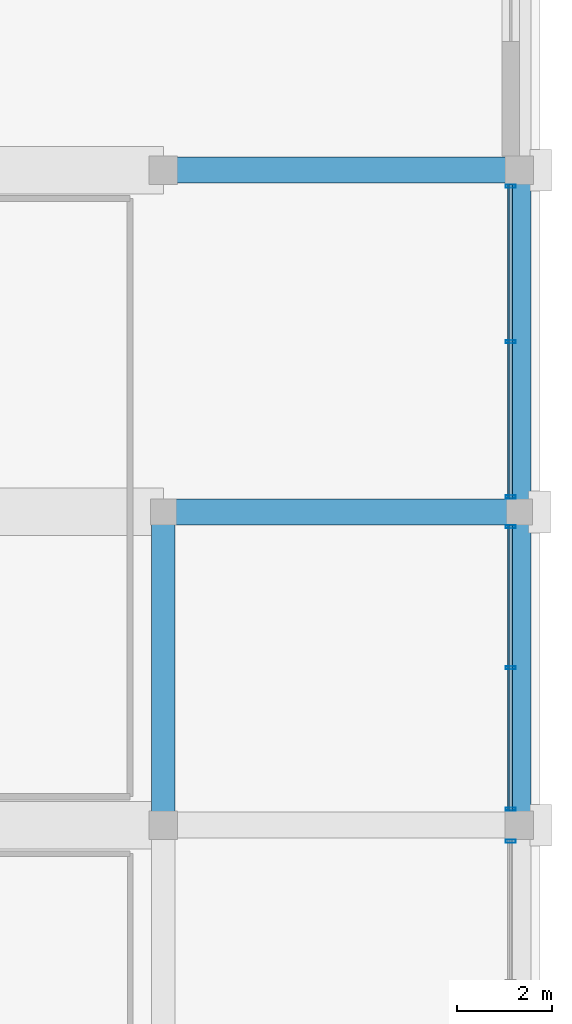
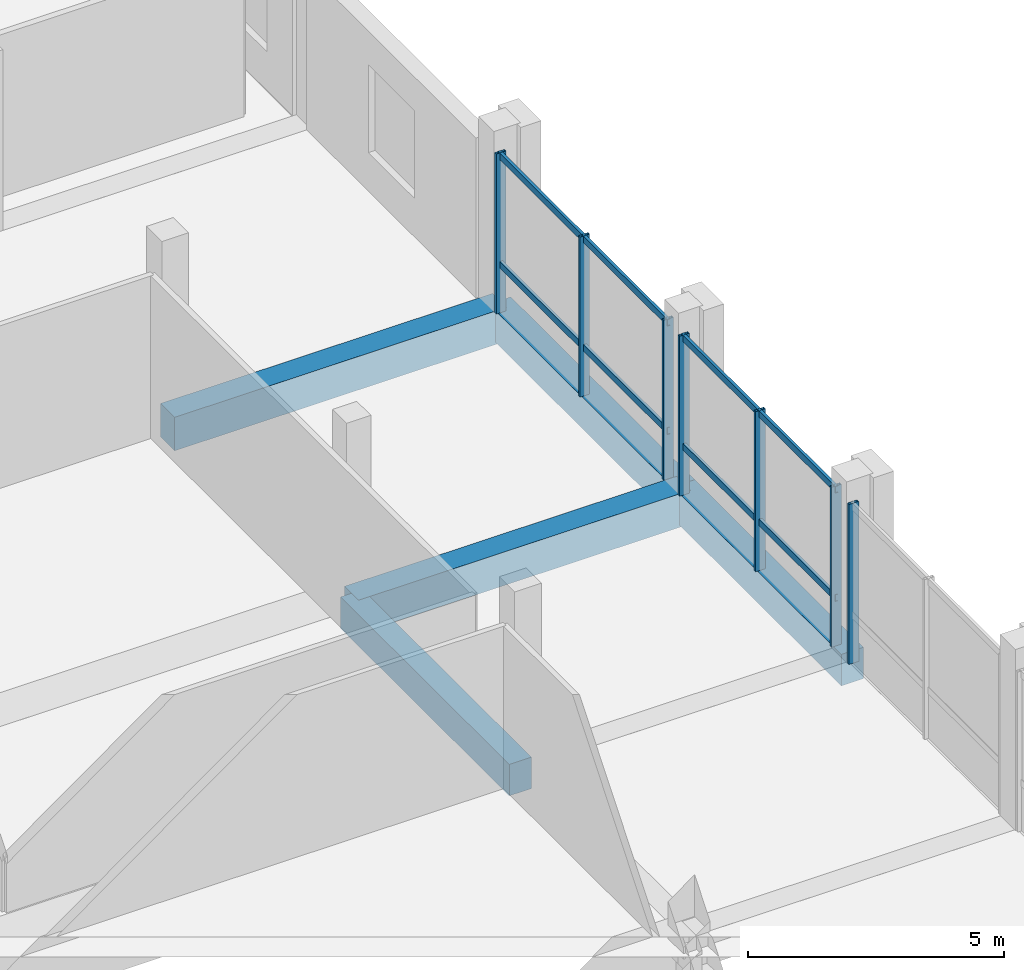
# One storey, part 37 of 68: 11 members, 5 beams, 3 elements without a shape of their own.
"""IFC4 building model written with IfcOpenShell, lengths in metres."""

from ifc_helpers import new_model, si_unit, direction, frame, origin, origin_2d, place, context, subcontext, project, spatial, rectangle, hollow_rectangle, extrude, material, material_profile, profile_set, type_object, element, aggregate, save


model = new_model("IFC4")

# Units and contexts
model_context = context("Model", 3, precision=1e-05, world=origin(), true_north=direction((0.0, 1.0)))
body_context = subcontext(model_context, "Body", "Model", "MODEL_VIEW")
ifc_project = project(units=[si_unit("LENGTHUNIT", "METRE"), si_unit("AREAUNIT", "SQUARE_METRE"), si_unit("VOLUMEUNIT", "CUBIC_METRE"), si_unit("PLANEANGLEUNIT", "RADIAN"), si_unit("MASSUNIT", "GRAM", prefix="KILO")], contexts=[model_context])

# Site, building, storey
site_placement = place(None, origin())
site = spatial("IfcSite", under=ifc_project, at=site_placement, CompositionType="ELEMENT")
building_placement = place(site_placement, origin())
building = spatial("IfcBuilding", under=site, at=building_placement, Name="Akrevak Sports Hall", CompositionType="ELEMENT")
storey_placement = place(building_placement, frame((0.0, 0.0, 9.39990234375)))
storey = spatial("IfcBuildingStorey", under=building, at=storey_placement, Name="L02", CompositionType="ELEMENT", Elevation=9.39990234375)

# Curtain wall, member
ifc_material_1 = material(Name="Anodized Bronze Aluminium & Low-E Glass", Category="aluminium")
curtain_wall_type = type_object("IfcCurtainWallType", Name="ARC-CW-POD-64x42", PredefinedType="NOTDEFINED", material=ifc_material_1)
curtain_wall_1_placement = place(storey_placement, origin())
curtain_wall_1 = element("IfcCurtainWall", 1, at=curtain_wall_1_placement, inside=storey, type_object=curtain_wall_type, Name="Curtain Wall CW-L02-E07", PredefinedType="NOTDEFINED")
ifc_material_2 = material(Name="Anodized Bronze Aluminium", Category="aluminium")
ifc_material_profile_1 = material_profile(ifc_material_2, hollow_rectangle(XDim=0.06494140625, YDim=0.219970703125, WallThickness=0.00439453125, at=origin_2d()), Name="CWM 65x220", Category="aluminium")
ifc_profile_set_1 = profile_set([ifc_material_profile_1], Name="Anodized Bronze Aluminium")
member_type_1 = type_object("IfcMemberType", Name="ARC-CWM-70x160", PredefinedType="MULLION", material=ifc_profile_set_1)
member_1_placement = place(storey_placement, frame((167.820068359375, 48.260009765625, 0.0), z_axis=(0.0, 0.0, 1.0), x_axis=(0.0, 1.0, 0.0)))
member_1 = element("IfcMember", 2, at=member_1_placement, type_object=member_type_1, Name="Curtain Wall Mullion CW-L02-E07-M3", PredefinedType="MULLION", context=body_context, shape_type="SweptSolid", body=[
    extrude(hollow_rectangle(XDim=0.06494140625, YDim=0.219970703125, WallThickness=0.00439453125, at=origin_2d()), origin(), (0.0, 0.0, 1.0), 3.820068359375),
])
aggregate(curtain_wall_1, [member_1])

# Curtain wall, members
curtain_wall_2_placement = place(storey_placement, origin())
curtain_wall_2 = element("IfcCurtainWall", 3, at=curtain_wall_2_placement, inside=storey, type_object=curtain_wall_type, Name="Curtain Wall CW-L02-E08", PredefinedType="NOTDEFINED")
member_2_placement = place(storey_placement, frame((167.820068359375, 48.93994140625, 0.0), z_axis=(0.0, 0.0, 1.0), x_axis=(0.0, 1.0, 0.0)))
member_2 = element("IfcMember", 4, at=member_2_placement, type_object=member_type_1, Name="Curtain Wall Mullion CW-L02-E08-M1", PredefinedType="MULLION", context=body_context, shape_type="SweptSolid", body=[
    extrude(hollow_rectangle(XDim=0.06494140625, YDim=0.219970703125, WallThickness=0.00439453125, at=origin_2d()), origin(), (0.0, 0.0, 1.0), 3.820068359375),
])
member_3_placement = place(storey_placement, frame((167.820068359375, 51.91259765625, 0.0), z_axis=(0.0, 0.0, 1.0), x_axis=(0.0, 1.0, 0.0)))
member_3 = element("IfcMember", 5, at=member_3_placement, type_object=member_type_1, Name="Curtain Wall Mullion CW-L02-E08-M2", PredefinedType="MULLION", context=body_context, shape_type="SweptSolid", body=[
    extrude(hollow_rectangle(XDim=0.06494140625, YDim=0.219970703125, WallThickness=0.00439453125, at=origin_2d()), origin(), (0.0, 0.0, 1.0), 3.820068359375),
])
member_4_placement = place(storey_placement, frame((167.820068359375, 54.885009765625, 0.0), z_axis=(0.0, 0.0, 1.0), x_axis=(0.0, 1.0, 0.0)))
member_4 = element("IfcMember", 6, at=member_4_placement, type_object=member_type_1, Name="Curtain Wall Mullion CW-L02-E08-M3", PredefinedType="MULLION", context=body_context, shape_type="SweptSolid", body=[
    extrude(hollow_rectangle(XDim=0.06494140625, YDim=0.219970703125, WallThickness=0.00439453125, at=origin_2d()), origin(), (0.0, 0.0, 1.0), 3.820068359375),
])

curtain_wall_3_placement = place(storey_placement, origin())
curtain_wall_3 = element("IfcCurtainWall", 7, at=curtain_wall_3_placement, inside=storey, type_object=curtain_wall_type, Name="Curtain Wall CW-L02-E09", PredefinedType="NOTDEFINED")
member_5_placement = place(storey_placement, frame((167.820068359375, 55.514892578125, 0.0), z_axis=(0.0, 0.0, 1.0), x_axis=(0.0, 1.0, 0.0)))
member_5 = element("IfcMember", 8, at=member_5_placement, type_object=member_type_1, Name="Curtain Wall Mullion CW-L02-E09-M1", PredefinedType="MULLION", context=body_context, shape_type="SweptSolid", body=[
    extrude(hollow_rectangle(XDim=0.06494140625, YDim=0.219970703125, WallThickness=0.00439453125, at=origin_2d()), origin(), (0.0, 0.0, 1.0), 3.820068359375),
])
member_6_placement = place(storey_placement, frame((167.820068359375, 58.78759765625, 0.0), z_axis=(0.0, 0.0, 1.0), x_axis=(0.0, 1.0, 0.0)))
member_6 = element("IfcMember", 9, at=member_6_placement, type_object=member_type_1, Name="Curtain Wall Mullion CW-L02-E09-M2", PredefinedType="MULLION", context=body_context, shape_type="SweptSolid", body=[
    extrude(hollow_rectangle(XDim=0.06494140625, YDim=0.219970703125, WallThickness=0.00439453125, at=origin_2d()), origin(), (0.0, 0.0, 1.0), 3.820068359375),
])
member_7_placement = place(storey_placement, frame((167.820068359375, 62.06005859375, 0.0), z_axis=(0.0, 0.0, 1.0), x_axis=(0.0, 1.0, 0.0)))
member_7 = element("IfcMember", 10, at=member_7_placement, type_object=member_type_1, Name="Curtain Wall Mullion CW-L02-E09-M3", PredefinedType="MULLION", context=body_context, shape_type="SweptSolid", body=[
    extrude(hollow_rectangle(XDim=0.06494140625, YDim=0.219970703125, WallThickness=0.00439453125, at=origin_2d()), origin(), (0.0, 0.0, 1.0), 3.820068359375),
])

# Member
ifc_material_profile_2 = material_profile(ifc_material_2, hollow_rectangle(XDim=0.06494140625, YDim=0.159912109375, WallThickness=0.00390625, at=origin_2d()), Name="CWT 65x160", Category="aluminium")
ifc_profile_set_2 = profile_set([ifc_material_profile_2], Name="Anodized Bronze Aluminium")
member_type_2 = type_object("IfcMemberType", Name="ARC-CWT-70x130", PredefinedType="USERDEFINED", material=ifc_profile_set_2)
member_8_placement = place(storey_placement, frame((167.820068359375, 48.89990234375, 1.150146484375), z_axis=(0.0, 1.0, 0.0), x_axis=(-1.0, 0.0, 0.0)))
member_8 = element("IfcMember", 11, at=member_8_placement, type_object=member_type_2, Name="Curtain Wall Transom CW-L02-E08-T1", ObjectType="TRANSOM", PredefinedType="USERDEFINED", context=body_context, shape_type="SweptSolid", body=[
    extrude(hollow_rectangle(XDim=0.06494140625, YDim=0.159912109375, WallThickness=0.00390625, at=origin_2d()), origin(), (0.0, 0.0, 1.0), 6.025146484375),
])

member_9_placement = place(storey_placement, frame((167.820068359375, 48.89990234375, 3.739990234375), z_axis=(0.0, 1.0, 0.0), x_axis=(-1.0, 0.0, 0.0)))
member_9 = element("IfcMember", 12, at=member_9_placement, type_object=member_type_2, Name="Curtain Wall Transom CW-L02-E08-T2", ObjectType="TRANSOM", PredefinedType="USERDEFINED", context=body_context, shape_type="SweptSolid", body=[
    extrude(hollow_rectangle(XDim=0.06494140625, YDim=0.159912109375, WallThickness=0.00390625, at=origin_2d()), origin(), (0.0, 0.0, 1.0), 6.025146484375),
])

aggregate(curtain_wall_2, [member_2, member_3, member_4, member_8, member_9])

member_10_placement = place(storey_placement, frame((167.820068359375, 55.47509765625, 1.150146484375), z_axis=(0.0, 1.0, 0.0), x_axis=(-1.0, 0.0, 0.0)))
member_10 = element("IfcMember", 13, at=member_10_placement, type_object=member_type_2, Name="Curtain Wall Transom CW-L02-E09-T1", ObjectType="TRANSOM", PredefinedType="USERDEFINED", context=body_context, shape_type="SweptSolid", body=[
    extrude(hollow_rectangle(XDim=0.06494140625, YDim=0.159912109375, WallThickness=0.00390625, at=origin_2d()), origin(), (0.0, 0.0, 1.0), 6.625),
])

member_11_placement = place(storey_placement, frame((167.820068359375, 55.47509765625, 3.739990234375), z_axis=(0.0, 1.0, 0.0), x_axis=(-1.0, 0.0, 0.0)))
member_11 = element("IfcMember", 14, at=member_11_placement, type_object=member_type_2, Name="Curtain Wall Transom CW-L02-E09-T2", ObjectType="TRANSOM", PredefinedType="USERDEFINED", context=body_context, shape_type="SweptSolid", body=[
    extrude(hollow_rectangle(XDim=0.06494140625, YDim=0.159912109375, WallThickness=0.00390625, at=origin_2d()), origin(), (0.0, 0.0, 1.0), 6.625),
])

aggregate(curtain_wall_3, [member_5, member_6, member_7, member_10, member_11])

# Beams
ifc_material_3 = material(Name="Concrete C40/50", Category="concrete")
ifc_material_profile_3 = material_profile(ifc_material_3, rectangle(XDim=0.5, YDim=0.75, at=origin_2d()), Name="BM 500x750", Category="concrete")
ifc_profile_set_3 = profile_set([ifc_material_profile_3], Name="Concrete C40/50")
beam_type_1 = type_object("IfcBeamType", Name="STR-BM-RC500x750", PredefinedType="BEAM", material=ifc_profile_set_3)
for number, where, z_axis, x_axis, name in (
    (15, (160.5, 48.60009765625, -0.375), (0.0, 1.0, 0.0), (-1.0, 0.0, 0.0), "Girder 22/H-I (L02)"),
    (16, (168.0, 48.60009765625, -0.375), (0.0, 1.0, 0.0), (-1.0, 0.0, 0.0), "Girder 23/H-I (L02)"),
):
    element("IfcBeam", number, at=place(storey_placement, frame(where, z_axis=z_axis, x_axis=x_axis)), inside=storey, type_object=beam_type_1, Name=name, PredefinedType="BEAM", context=body_context, shape_type="SweptSolid", body=[
        extrude(rectangle(XDim=0.5, YDim=0.75, at=origin_2d()), origin(), (0.0, 0.0, 1.0), 6.599853515625),
    ])
beam_placement = place(storey_placement, frame((168.0, 55.199951171875, -0.375), z_axis=(0.0, 1.0, 0.0), x_axis=(-1.0, 0.0, 0.0)))
element("IfcBeam", 17, at=beam_placement, inside=storey, type_object=beam_type_1, Name="Girder 23/I-J (L02)", PredefinedType="BEAM", context=body_context, shape_type="SweptSolid", body=[
    extrude(rectangle(XDim=0.5, YDim=0.75, at=origin_2d()), origin(), (0.0, 0.0, 1.0), 7.199951171875),
])
ifc_material_profile_4 = material_profile(ifc_material_3, rectangle(XDim=0.550048828125, YDim=0.800048828125, at=origin_2d()), Name="BM 550x800", Category="concrete")
ifc_profile_set_4 = profile_set([ifc_material_profile_4], Name="Concrete C40/50")
beam_type_2 = type_object("IfcBeamType", Name="STR-BM-RC550x800", PredefinedType="BEAM", material=ifc_profile_set_4)
for number, where, z_axis, x_axis, name in (
    (18, (160.5, 55.199951171875, -0.39990234375), (1.0, 0.0, 0.0), (0.0, 1.0, 0.0), "Girder I/22-23 (L02)"),
    (19, (160.5, 62.39990234375, -0.39990234375), (1.0, 0.0, 0.0), (0.0, 1.0, 0.0), "Girder J/22-23 (L02)"),
):
    element("IfcBeam", number, at=place(storey_placement, frame(where, z_axis=z_axis, x_axis=x_axis)), inside=storey, type_object=beam_type_2, Name=name, PredefinedType="BEAM", context=body_context, shape_type="SweptSolid", body=[
        extrude(rectangle(XDim=0.550048828125, YDim=0.800048828125, at=origin_2d()), origin(), (0.0, 0.0, 1.0), 7.5),
    ])

save(model, "model.ifc")
